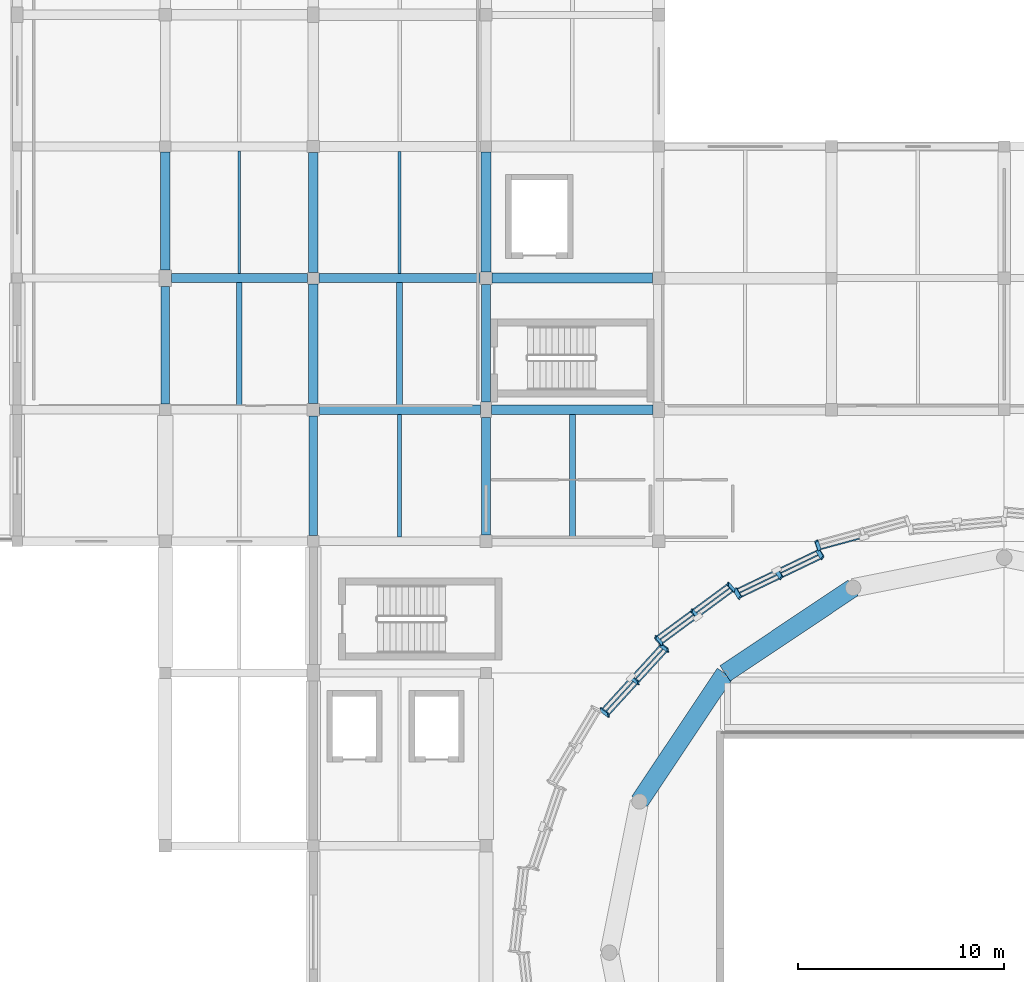
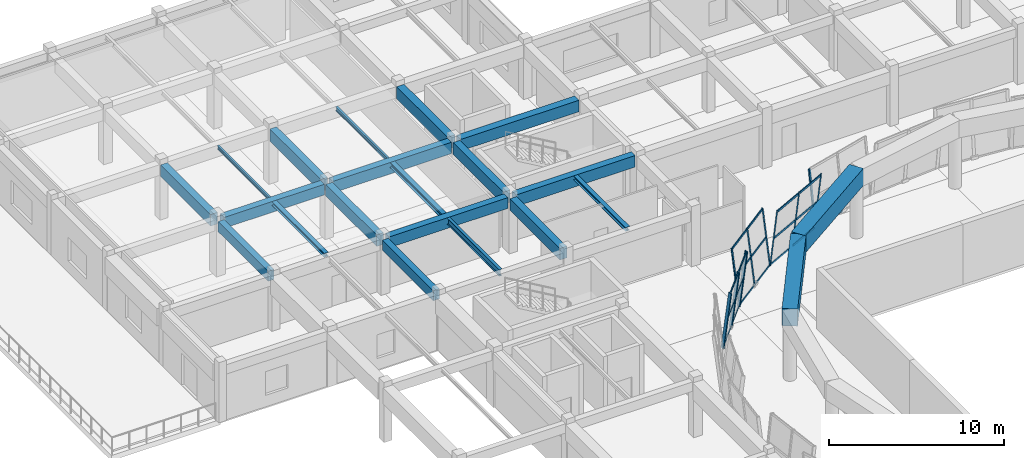
# One storey, part 15 of 40: 29 members, 21 beams, 4 elements without a shape of their own.
"""IFC4 building model written with IfcOpenShell, lengths in metres."""

from ifc_helpers import new_model, si_unit, direction, frame, origin, origin_2d, place, context, subcontext, project, spatial, rectangle, hollow_rectangle, i_section, extrude, material, material_profile, profile_set, type_object, element, aggregate, save


model = new_model("IFC4")

# Units and contexts
model_context = context("Model", 3, precision=1e-05, world=origin(), true_north=direction((0.0, 1.0)))
body_context = subcontext(model_context, "Body", "Model", "MODEL_VIEW")
ifc_project = project(units=[si_unit("LENGTHUNIT", "METRE"), si_unit("AREAUNIT", "SQUARE_METRE"), si_unit("VOLUMEUNIT", "CUBIC_METRE"), si_unit("PLANEANGLEUNIT", "RADIAN"), si_unit("MASSUNIT", "GRAM", prefix="KILO")], contexts=[model_context])

# Site, building, storey
site_placement = place(None, origin())
site = spatial("IfcSite", under=ifc_project, at=site_placement, CompositionType="ELEMENT")
building_placement = place(site_placement, origin())
building = spatial("IfcBuilding", under=site, at=building_placement, Name="Korsvaeld Concert Hall", CompositionType="ELEMENT")
storey_placement = place(building_placement, frame((0.0, 0.0, 13.199951171875)))
storey = spatial("IfcBuildingStorey", under=building, at=storey_placement, Name="L03", CompositionType="ELEMENT", Elevation=13.199951171875)

# Beams
ifc_material_1 = material(Name="Concrete C35/45", Category="concrete")
ifc_material_profile_1 = material_profile(ifc_material_1, rectangle(XDim=0.39990234375, YDim=0.699951171875, at=origin_2d()), Name="RC 400x700")
ifc_profile_set_1 = profile_set([ifc_material_profile_1], Name="Concrete C35/45")
beam_type_1 = type_object("IfcBeamType", Name="BM-RC-400x700", PredefinedType="T_BEAM", material=ifc_profile_set_1)
beam_1_placement = place(storey_placement, frame((43.199951171875, 89.875, 3.489990234375), z_axis=(0.0, 1.0, 0.0), x_axis=(-1.0, 0.0, 0.0)))
element("IfcBeam", 1, at=beam_1_placement, inside=storey, type_object=beam_type_1, Name="Primary girder 7/N-P L03", PredefinedType="T_BEAM", context=body_context, shape_type="SweptSolid", body=[
    extrude(rectangle(XDim=0.39990234375, YDim=0.699951171875, at=origin_2d()), origin(), (0.0, 0.0, 1.0), 5.72509765625),
])
beam_2_placement = place(storey_placement, frame((50.39990234375, 83.47509765625, 3.489990234375), z_axis=(0.0, 1.0, 0.0), x_axis=(-1.0, 0.0, 0.0)))
element("IfcBeam", 2, at=beam_2_placement, inside=storey, type_object=beam_type_1, Name="Primary girder 8/M-N L03", PredefinedType="T_BEAM", context=body_context, shape_type="SweptSolid", body=[
    extrude(rectangle(XDim=0.39990234375, YDim=0.699951171875, at=origin_2d()), origin(), (0.0, 0.0, 1.0), 5.824951171875),
])
ifc_material_profile_2 = material_profile(ifc_material_1, rectangle(XDim=0.449951171875, YDim=0.75, at=origin_2d()), Name="RC 450x750")
ifc_profile_set_2 = profile_set([ifc_material_profile_2], Name="Concrete C35/45")
beam_type_2 = type_object("IfcBeamType", Name="BM-RC-450x750", PredefinedType="T_BEAM", material=ifc_profile_set_2)
beam_3_placement = place(storey_placement, frame((50.699951171875, 89.60009765625, 3.465087890625), z_axis=(1.0, 0.0, 0.0), x_axis=(0.0, 1.0, 0.0)))
element("IfcBeam", 3, at=beam_3_placement, inside=storey, type_object=beam_type_2, Name="Primary girder 8-9/N L03", PredefinedType="T_BEAM", context=body_context, shape_type="SweptSolid", body=[
    extrude(rectangle(XDim=0.449951171875, YDim=0.75, at=origin_2d()), origin(), (0.0, 0.0, 1.0), 7.824951171875),
])
beam_4_placement = place(storey_placement, frame((43.5, 96.0, 3.465087890625), z_axis=(1.0, 0.0, 0.0), x_axis=(0.0, 1.0, 0.0)))
element("IfcBeam", 4, at=beam_4_placement, inside=storey, type_object=beam_type_2, Name="Primary girder 7-8/P L03", PredefinedType="T_BEAM", context=body_context, shape_type="SweptSolid", body=[
    extrude(rectangle(XDim=0.449951171875, YDim=0.75, at=origin_2d()), origin(), (0.0, 0.0, 1.0), 6.625),
])
ifc_material_profile_3 = material_profile(ifc_material_1, rectangle(XDim=0.449951171875, YDim=0.800048828125, at=origin_2d()), Name="RC 450x800")
ifc_profile_set_3 = profile_set([ifc_material_profile_3], Name="Concrete C35/45")
beam_type_3 = type_object("IfcBeamType", Name="BM-RC-450x800", PredefinedType="T_BEAM", material=ifc_profile_set_3)
beam_5_placement = place(storey_placement, frame((59.074951171875, 89.60009765625, 3.43994140625), z_axis=(1.0, 0.0, 0.0), x_axis=(0.0, 1.0, 0.0)))
element("IfcBeam", 5, at=beam_5_placement, inside=storey, type_object=beam_type_3, Name="Primary girder 9-10/N L03", PredefinedType="T_BEAM", context=body_context, shape_type="SweptSolid", body=[
    extrude(rectangle(XDim=0.449951171875, YDim=0.800048828125, at=origin_2d()), origin(), (0.0, 0.0, 1.0), 7.85009765625),
])
beam_6_placement = place(storey_placement, frame((50.675048828125, 96.0, 3.43994140625), z_axis=(1.0, 0.0, 0.0), x_axis=(0.0, 1.0, 0.0)))
element("IfcBeam", 6, at=beam_6_placement, inside=storey, type_object=beam_type_3, Name="Primary girder 8-9/P L03", PredefinedType="T_BEAM", context=body_context, shape_type="SweptSolid", body=[
    extrude(rectangle(XDim=0.449951171875, YDim=0.800048828125, at=origin_2d()), origin(), (0.0, 0.0, 1.0), 7.824951171875),
])
beam_7_placement = place(storey_placement, frame((43.199951171875, 96.39990234375, 3.43994140625), z_axis=(0.0, 1.0, 0.0), x_axis=(-1.0, 0.0, 0.0)))
element("IfcBeam", 7, at=beam_7_placement, inside=storey, type_object=beam_type_3, Name="Primary girder 7/P-Q L03", PredefinedType="T_BEAM", context=body_context, shape_type="SweptSolid", body=[
    extrude(rectangle(XDim=0.449951171875, YDim=0.800048828125, at=origin_2d()), origin(), (0.0, 0.0, 1.0), 5.72509765625),
])
beam_8_placement = place(storey_placement, frame((50.39990234375, 89.89990234375, 3.43994140625), z_axis=(0.0, 1.0, 0.0), x_axis=(-1.0, 0.0, 0.0)))
element("IfcBeam", 8, at=beam_8_placement, inside=storey, type_object=beam_type_3, Name="Primary girder 8/N-P L03", PredefinedType="T_BEAM", context=body_context, shape_type="SweptSolid", body=[
    extrude(rectangle(XDim=0.449951171875, YDim=0.800048828125, at=origin_2d()), origin(), (0.0, 0.0, 1.0), 5.8251953125),
])
beam_9_placement = place(storey_placement, frame((58.800048828125, 83.5, 3.43994140625), z_axis=(0.0, 1.0, 0.0), x_axis=(-1.0, 0.0, 0.0)))
element("IfcBeam", 9, at=beam_9_placement, inside=storey, type_object=beam_type_3, Name="Primary girder 9/M-N L03", PredefinedType="T_BEAM", context=body_context, shape_type="SweptSolid", body=[
    extrude(rectangle(XDim=0.449951171875, YDim=0.800048828125, at=origin_2d()), origin(), (0.0, 0.0, 1.0), 5.72509765625),
])
ifc_material_2 = material(Name="Concrete C40/50", Category="concrete")
ifc_material_profile_4 = material_profile(ifc_material_2, rectangle(XDim=0.449951171875, YDim=0.85009765625, at=origin_2d()), Name="RC 450x850")
ifc_profile_set_4 = profile_set([ifc_material_profile_4], Name="Concrete C40/50")
beam_type_4 = type_object("IfcBeamType", Name="BM-RC-450x850", PredefinedType="T_BEAM", material=ifc_profile_set_4)
beam_10_placement = place(storey_placement, frame((50.39990234375, 96.27490234375, 3.4150390625), z_axis=(0.0, 1.0, 0.0), x_axis=(-1.0, 0.0, 0.0)))
element("IfcBeam", 10, at=beam_10_placement, inside=storey, type_object=beam_type_4, Name="Primary girder 8/P-Q L03", PredefinedType="T_BEAM", context=body_context, shape_type="SweptSolid", body=[
    extrude(rectangle(XDim=0.449951171875, YDim=0.85009765625, at=origin_2d()), origin(), (0.0, 0.0, 1.0), 5.8251953125),
])
beam_11_placement = place(storey_placement, frame((58.800048828125, 89.97509765625, 3.4150390625), z_axis=(0.0, 1.0, 0.0), x_axis=(-1.0, 0.0, 0.0)))
element("IfcBeam", 11, at=beam_11_placement, inside=storey, type_object=beam_type_4, Name="Primary girder 9/N-P L03", PredefinedType="T_BEAM", context=body_context, shape_type="SweptSolid", body=[
    extrude(rectangle(XDim=0.449951171875, YDim=0.85009765625, at=origin_2d()), origin(), (0.0, 0.0, 1.0), 5.724853515625),
])
ifc_material_profile_5 = material_profile(ifc_material_2, rectangle(XDim=0.5, YDim=0.800048828125, at=origin_2d()), Name="RC 500x800")
ifc_profile_set_5 = profile_set([ifc_material_profile_5], Name="Concrete C40/50")
beam_type_5 = type_object("IfcBeamType", Name="BM-RC-500x800", PredefinedType="T_BEAM", material=ifc_profile_set_5)
beam_12_placement = place(storey_placement, frame((59.10009765625, 96.0, 3.43994140625), z_axis=(1.0, 0.0, 0.0), x_axis=(0.0, 1.0, 0.0)))
element("IfcBeam", 12, at=beam_12_placement, inside=storey, type_object=beam_type_5, Name="Primary girder 9-10/P L03", PredefinedType="T_BEAM", context=body_context, shape_type="SweptSolid", body=[
    extrude(rectangle(XDim=0.5, YDim=0.800048828125, at=origin_2d()), origin(), (0.0, 0.0, 1.0), 7.7998046875),
])
ifc_material_profile_6 = material_profile(ifc_material_2, rectangle(XDim=0.5, YDim=0.85009765625, at=origin_2d()), Name="RC 500x850")
ifc_profile_set_6 = profile_set([ifc_material_profile_6], Name="Concrete C40/50")
beam_type_6 = type_object("IfcBeamType", Name="BM-RC-500x850", PredefinedType="T_BEAM", material=ifc_profile_set_6)
beam_13_placement = place(storey_placement, frame((58.800048828125, 96.300048828125, 3.4150390625), z_axis=(0.0, 1.0, 0.0), x_axis=(-1.0, 0.0, 0.0)))
element("IfcBeam", 13, at=beam_13_placement, inside=storey, type_object=beam_type_6, Name="Primary girder 9/P-Q L03", PredefinedType="T_BEAM", context=body_context, shape_type="SweptSolid", body=[
    extrude(rectangle(XDim=0.5, YDim=0.85009765625, at=origin_2d()), origin(), (0.0, 0.0, 1.0), 5.824951171875),
])
ifc_material_profile_7 = material_profile(ifc_material_2, rectangle(XDim=0.89990234375, YDim=1.199951171875, at=origin_2d()), Name="RC 900x1200")
ifc_profile_set_7 = profile_set([ifc_material_profile_7], Name="Concrete C40/50")
beam_type_7 = type_object("IfcBeamType", Name="BM-RING-RC900x1200", PredefinedType="USERDEFINED", material=ifc_profile_set_7)
for number, where, z_axis, x_axis, name in (
    (14, (76.652587890625, 80.9384765625, 4.199951171875), (-0.831483307961, -0.555549735471, 0.0), (0.555549735471, -0.831483307961, 0.0), "Main Hall C40/50 drum ring beam segment 06"),
    (15, (70.423583984375, 76.776611328125, 4.199951171875), (-0.555572265942, -0.831468253944, 0.0), (0.831468253944, -0.555572265942, 0.0), "Main Hall C40/50 drum ring beam segment 07"),
):
    element("IfcBeam", number, at=place(storey_placement, frame(where, z_axis=z_axis, x_axis=x_axis)), inside=storey, type_object=beam_type_7, Name=name, ObjectType="RING BEAM", PredefinedType="USERDEFINED", context=body_context, shape_type="SweptSolid", body=[
        extrude(rectangle(XDim=0.89990234375, YDim=1.199951171875, at=origin_2d()), origin(), (0.0, 0.0, 1.0), 7.491455078125),
    ])
ifc_material_3 = material(Name="Steel S355J2", Category="steel")
ifc_material_profile_8 = material_profile(ifc_material_3, i_section(OverallWidth=0.280029296875, OverallDepth=0.27001953125, WebThickness=0.008056640625, FlangeThickness=0.012939453125, FilletRadius=0.02392578125, at=origin_2d()), Name="HEA 280")
ifc_profile_set_8 = profile_set([ifc_material_profile_8], Name="Steel S355J2")
beam_type_8 = type_object("IfcBeamType", Name="BM-STL-HEA280", PredefinedType="BEAM", material=ifc_profile_set_8)
beam_14_placement = place(storey_placement, frame((46.800048828125, 89.800048828125, 3.705078125), z_axis=(0.0, 1.0, 0.0), x_axis=(-1.0, 0.0, 0.0)))
element("IfcBeam", 16, at=beam_14_placement, inside=storey, type_object=beam_type_8, Name="Secondary steel floor beam 7-8/N L03", PredefinedType="BEAM", context=body_context, shape_type="SweptSolid", body=[
    extrude(i_section(OverallWidth=0.280029296875, OverallDepth=0.27001953125, WebThickness=0.008056640625, FlangeThickness=0.012939453125, FilletRadius=0.02392578125, at=origin_2d()), origin(), (0.0, 0.0, 1.0), 5.974853515625),
])
beam_15_placement = place(storey_placement, frame((63.0, 83.425048828125, 3.705078125), z_axis=(0.0, 1.0, 0.0), x_axis=(-1.0, 0.0, 0.0)))
element("IfcBeam", 17, at=beam_15_placement, inside=storey, type_object=beam_type_8, Name="Secondary steel floor beam 9-10/M L03", PredefinedType="BEAM", context=body_context, shape_type="SweptSolid", body=[
    extrude(i_section(OverallWidth=0.280029296875, OverallDepth=0.27001953125, WebThickness=0.008056640625, FlangeThickness=0.012939453125, FilletRadius=0.02392578125, at=origin_2d()), origin(), (0.0, 0.0, 1.0), 5.949951171875),
])
ifc_material_profile_9 = material_profile(ifc_material_3, i_section(OverallWidth=0.300048828125, OverallDepth=0.35009765625, WebThickness=0.010009765625, FlangeThickness=0.017578125, FilletRadius=0.027099609375, at=origin_2d()), Name="HEA 360")
ifc_profile_set_9 = profile_set([ifc_material_profile_9], Name="Steel S355J2")
beam_type_9 = type_object("IfcBeamType", Name="BM-STL-HEA360", PredefinedType="BEAM", material=ifc_profile_set_9)
beam_16_placement = place(storey_placement, frame((54.60009765625, 89.824951171875, 3.6650390625), z_axis=(0.0, 1.0, 0.0), x_axis=(-1.0, 0.0, 0.0)))
element("IfcBeam", 18, at=beam_16_placement, inside=storey, type_object=beam_type_9, Name="Secondary steel floor beam 8-9/N L03", PredefinedType="BEAM", context=body_context, shape_type="SweptSolid", body=[
    extrude(i_section(OverallWidth=0.300048828125, OverallDepth=0.35009765625, WebThickness=0.010009765625, FlangeThickness=0.017578125, FilletRadius=0.027099609375, at=origin_2d()), origin(), (0.0, 0.0, 1.0), 5.949951171875),
])
ifc_material_profile_10 = material_profile(ifc_material_3, i_section(OverallWidth=0.1201171875, OverallDepth=0.239990234375, WebThickness=0.006103515625, FlangeThickness=0.009765625, FilletRadius=0.014892578125, at=origin_2d()), Name="IPE 240")
ifc_profile_set_10 = profile_set([ifc_material_profile_10], Name="Steel S355J2")
beam_type_10 = type_object("IfcBeamType", Name="BM-STL-IPE240", PredefinedType="JOIST", material=ifc_profile_set_10)
beam_17_placement = place(storey_placement, frame((46.800048828125, 96.22509765625, 3.719970703125), z_axis=(0.0, 1.0, 0.0), x_axis=(-1.0, 0.0, 0.0)))
element("IfcBeam", 19, at=beam_17_placement, inside=storey, type_object=beam_type_10, Name="Secondary steel floor beam 7-8/P L03", PredefinedType="JOIST", context=body_context, shape_type="SweptSolid", body=[
    extrude(i_section(OverallWidth=0.1201171875, OverallDepth=0.239990234375, WebThickness=0.006103515625, FlangeThickness=0.009765625, FilletRadius=0.014892578125, at=origin_2d()), origin(), (0.0, 0.0, 1.0), 5.949951171875),
])
ifc_material_profile_11 = material_profile(ifc_material_3, i_section(OverallWidth=0.135009765625, OverallDepth=0.27001953125, WebThickness=0.006591796875, FlangeThickness=0.01025390625, FilletRadius=0.014892578125, at=origin_2d()), Name="IPE 270")
ifc_profile_set_11 = profile_set([ifc_material_profile_11], Name="Steel S355J2")
beam_type_11 = type_object("IfcBeamType", Name="BM-STL-IPE270", PredefinedType="JOIST", material=ifc_profile_set_11)
beam_18_placement = place(storey_placement, frame((54.60009765625, 96.22509765625, 3.705078125), z_axis=(0.0, 1.0, 0.0), x_axis=(-1.0, 0.0, 0.0)))
element("IfcBeam", 20, at=beam_18_placement, inside=storey, type_object=beam_type_11, Name="Secondary steel floor beam 8-9/P L03", PredefinedType="JOIST", context=body_context, shape_type="SweptSolid", body=[
    extrude(i_section(OverallWidth=0.135009765625, OverallDepth=0.27001953125, WebThickness=0.006591796875, FlangeThickness=0.01025390625, FilletRadius=0.014892578125, at=origin_2d()), origin(), (0.0, 0.0, 1.0), 5.9248046875),
])
ifc_material_profile_12 = material_profile(ifc_material_3, i_section(OverallWidth=0.18994140625, OverallDepth=0.449951171875, WebThickness=0.009521484375, FlangeThickness=0.0146484375, FilletRadius=0.02099609375, at=origin_2d()), Name="IPE 450")
ifc_profile_set_12 = profile_set([ifc_material_profile_12], Name="Steel S355J2")
beam_type_12 = type_object("IfcBeamType", Name="BM-STL-IPE450", PredefinedType="BEAM", material=ifc_profile_set_12)
beam_19_placement = place(storey_placement, frame((54.60009765625, 83.39990234375, 3.614990234375), z_axis=(0.0, 1.0, 0.0), x_axis=(-1.0, 0.0, 0.0)))
element("IfcBeam", 21, at=beam_19_placement, inside=storey, type_object=beam_type_12, Name="Secondary steel floor beam 8-9/M L03", PredefinedType="BEAM", context=body_context, shape_type="SweptSolid", body=[
    extrude(i_section(OverallWidth=0.18994140625, OverallDepth=0.449951171875, WebThickness=0.009521484375, FlangeThickness=0.0146484375, FilletRadius=0.02099609375, at=origin_2d()), origin(), (0.0, 0.0, 1.0), 5.97509765625),
])

# Curtain wall, member
ifc_material_4 = material(Name="Anodised bronze and ceramic-fritted safety glass", Category="glass")
curtain_wall_type_1 = type_object("IfcCurtainWallType", Name="CW-TYPE-02", PredefinedType="USERDEFINED", material=ifc_material_4)
curtain_wall_1_placement = place(storey_placement, origin())
curtain_wall_1 = element("IfcCurtainWall", 22, at=curtain_wall_1_placement, inside=storey, type_object=curtain_wall_type_1, Name="Crystal curtain-wall facet L03 F10", ObjectType="CURTAIN WALL", PredefinedType="USERDEFINED")
ifc_material_5 = material(Name="Anodised architectural bronze aluminium", Category="aluminium")
ifc_material_profile_13 = material_profile(ifc_material_5, hollow_rectangle(XDim=0.074951171875, YDim=0.179931640625, WallThickness=0.0048828125, at=origin_2d()), Name="CWM 180x75x5")
ifc_profile_set_13 = profile_set([ifc_material_profile_13], Name="Anodised architectural bronze aluminium")
member_type_1 = type_object("IfcMemberType", Name="CWM-BRONZE-180x75", PredefinedType="MULLION", material=ifc_profile_set_13)
member_1_placement = place(storey_placement, frame((75.0048828125, 82.796142578125, 0.0), z_axis=(-0.036197122149, 0.107216000838, 0.993576618843), x_axis=(-0.55573398258, 0.824159803474, -0.10918039633)))
member_1 = element("IfcMember", 23, at=member_1_placement, type_object=member_type_1, Name="CW-CRYS-L03-F10 crystal mullion 3", PredefinedType="MULLION", context=body_context, shape_type="SweptSolid", body=[
    extrude(hollow_rectangle(XDim=0.074951171875, YDim=0.179931640625, WallThickness=0.0048828125, at=origin_2d()), origin(), (0.0, 0.0, 1.0), 3.9052734375),
])

# Curtain wall, members
curtain_wall_type_2 = type_object("IfcCurtainWallType", Name="CW-TYPE-04", PredefinedType="USERDEFINED", material=ifc_material_4)
curtain_wall_2_placement = place(storey_placement, origin())
curtain_wall_2 = element("IfcCurtainWall", 24, at=curtain_wall_2_placement, inside=storey, type_object=curtain_wall_type_2, Name="Crystal curtain-wall facet L03 F12", ObjectType="CURTAIN WALL", PredefinedType="USERDEFINED")
member_2_placement = place(storey_placement, frame((70.8583984375, 80.804931640625, 0.0), z_axis=(-0.076394652963, 0.083584002465, 0.993568101104), x_axis=(-0.977549926724, 0.189970662094, -0.09114432679)))
member_2 = element("IfcMember", 25, at=member_2_placement, type_object=member_type_1, Name="CW-CRYS-L03-F12 crystal mullion 1", PredefinedType="MULLION", context=body_context, shape_type="SweptSolid", body=[
    extrude(hollow_rectangle(XDim=0.074951171875, YDim=0.179931640625, WallThickness=0.0048828125, at=origin_2d()), origin(), (0.0, 0.0, 1.0), 3.9052734375),
])
member_3_placement = place(storey_placement, frame((69.100341796875, 79.509033203125, 0.0), z_axis=(-0.07633290001, 0.083522321387, 0.993578034281), x_axis=(-0.977548655887, 0.19001085547, -0.091074146589)))
member_3 = element("IfcMember", 26, at=member_3_placement, type_object=member_type_1, Name="CW-CRYS-L03-F12 crystal mullion 2", PredefinedType="MULLION", context=body_context, shape_type="SweptSolid", body=[
    extrude(hollow_rectangle(XDim=0.074951171875, YDim=0.179931640625, WallThickness=0.0048828125, at=origin_2d()), origin(), (0.0, 0.0, 1.0), 3.9052734375),
])
member_4_placement = place(storey_placement, frame((67.342529296875, 78.212890625, 0.0), z_axis=(-0.076394652963, 0.083584002465, 0.993568101104), x_axis=(-0.977549926724, 0.189970662094, -0.09114432679)))
member_4 = element("IfcMember", 27, at=member_4_placement, type_object=member_type_1, Name="CW-CRYS-L03-F12 crystal mullion 3", PredefinedType="MULLION", context=body_context, shape_type="SweptSolid", body=[
    extrude(hollow_rectangle(XDim=0.074951171875, YDim=0.179931640625, WallThickness=0.0048828125, at=origin_2d()), origin(), (0.0, 0.0, 1.0), 3.9052734375),
])

curtain_wall_type_3 = type_object("IfcCurtainWallType", Name="CW-TYPE-03", PredefinedType="USERDEFINED", material=ifc_material_4)
curtain_wall_3_placement = place(storey_placement, origin())
curtain_wall_3 = element("IfcCurtainWall", 28, at=curtain_wall_3_placement, inside=storey, type_object=curtain_wall_type_3, Name="Crystal curtain-wall facet L03 F11", ObjectType="CURTAIN WALL", PredefinedType="USERDEFINED")
ifc_material_profile_14 = material_profile(ifc_material_5, hollow_rectangle(XDim=0.074951171875, YDim=0.219970703125, WallThickness=0.006103515625, at=origin_2d()), Name="CWM 220x75x6")
ifc_profile_set_14 = profile_set([ifc_material_profile_14], Name="Anodised architectural bronze aluminium")
member_type_2 = type_object("IfcMemberType", Name="CWM-BRONZE-220x75", PredefinedType="MULLION", material=ifc_profile_set_14)
member_5_placement = place(storey_placement, frame((74.934814453125, 82.77001953125, 0.0), z_axis=(0.057890146021, -0.097275450549, 0.993572452172), x_axis=(0.829999508119, -0.548349795161, -0.102045669527)))
member_5 = element("IfcMember", 29, at=member_5_placement, type_object=member_type_2, Name="CW-CRYS-L03-F11 crystal mullion 1", PredefinedType="MULLION", context=body_context, shape_type="SweptSolid", body=[
    extrude(hollow_rectangle(XDim=0.074951171875, YDim=0.219970703125, WallThickness=0.006103515625, at=origin_2d()), origin(), (0.0, 0.0, 1.0), 3.9052734375),
])
member_6_placement = place(storey_placement, frame((72.9287109375, 81.806640625, 0.0), z_axis=(0.057827838836, -0.097275802409, 0.993576046069), x_axis=(0.829740754725, -0.548746539868, -0.102017228601)))
member_6 = element("IfcMember", 30, at=member_6_placement, type_object=member_type_2, Name="CW-CRYS-L03-F11 crystal mullion 2", PredefinedType="MULLION", context=body_context, shape_type="SweptSolid", body=[
    extrude(hollow_rectangle(XDim=0.074951171875, YDim=0.219970703125, WallThickness=0.006103515625, at=origin_2d()), origin(), (0.0, 0.0, 1.0), 3.9052734375),
])
member_7_placement = place(storey_placement, frame((70.92236328125, 80.843505859375, 0.0), z_axis=(0.057890146021, -0.097275450549, 0.993572452172), x_axis=(0.829999508119, -0.548349795161, -0.102045669527)))
member_7 = element("IfcMember", 31, at=member_7_placement, type_object=member_type_2, Name="CW-CRYS-L03-F11 crystal mullion 3", PredefinedType="MULLION", context=body_context, shape_type="SweptSolid", body=[
    extrude(hollow_rectangle(XDim=0.074951171875, YDim=0.219970703125, WallThickness=0.006103515625, at=origin_2d()), origin(), (0.0, 0.0, 1.0), 3.9052734375),
])

curtain_wall_type_4 = type_object("IfcCurtainWallType", Name="CW-TYPE-05", PredefinedType="USERDEFINED", material=ifc_material_4)
curtain_wall_4_placement = place(storey_placement, origin())
curtain_wall_4 = element("IfcCurtainWall", 32, at=curtain_wall_4_placement, inside=storey, type_object=curtain_wall_type_4, Name="Crystal curtain-wall facet L03 F13", ObjectType="CURTAIN WALL", PredefinedType="USERDEFINED")
member_8_placement = place(storey_placement, frame((67.287109375, 78.1630859375, 0.0), z_axis=(0.09108635583, -0.067205101247, 0.993572720111), x_axis=(0.977585463955, 0.19620767399, -0.076349258884)))
member_8 = element("IfcMember", 33, at=member_8_placement, type_object=member_type_2, Name="CW-CRYS-L03-F13 crystal mullion 1", PredefinedType="MULLION", context=body_context, shape_type="SweptSolid", body=[
    extrude(hollow_rectangle(XDim=0.074951171875, YDim=0.219970703125, WallThickness=0.006103515625, at=origin_2d()), origin(), (0.0, 0.0, 1.0), 3.9052734375),
])
member_9_placement = place(storey_placement, frame((65.8447265625, 76.58447265625, 0.0), z_axis=(0.091148352992, -0.067204718427, 0.993567060428), x_axis=(0.977518031702, 0.19653033326, -0.076382758571)))
member_9 = element("IfcMember", 34, at=member_9_placement, type_object=member_type_2, Name="CW-CRYS-L03-F13 crystal mullion 2", PredefinedType="MULLION", context=body_context, shape_type="SweptSolid", body=[
    extrude(hollow_rectangle(XDim=0.074951171875, YDim=0.219970703125, WallThickness=0.006103515625, at=origin_2d()), origin(), (0.0, 0.0, 1.0), 3.9052734375),
])
member_10_placement = place(storey_placement, frame((64.402587890625, 75.005859375, 0.0), z_axis=(0.09108635583, -0.067205101247, 0.993572720111), x_axis=(0.977585463955, 0.19620767399, -0.076349258884)))
member_10 = element("IfcMember", 35, at=member_10_placement, type_object=member_type_2, Name="CW-CRYS-L03-F13 crystal mullion 3", PredefinedType="MULLION", context=body_context, shape_type="SweptSolid", body=[
    extrude(hollow_rectangle(XDim=0.074951171875, YDim=0.219970703125, WallThickness=0.006103515625, at=origin_2d()), origin(), (0.0, 0.0, 1.0), 3.9052734375),
])

# Member
ifc_material_profile_15 = material_profile(ifc_material_5, hollow_rectangle(XDim=0.06005859375, YDim=0.139892578125, WallThickness=0.00390625, at=origin_2d()), Name="CWT 140x60x4")
ifc_profile_set_15 = profile_set([ifc_material_profile_15], Name="Anodised architectural bronze aluminium")
member_type_3 = type_object("IfcMemberType", Name="CWT-BRONZE-140x60", PredefinedType="USERDEFINED", material=ifc_profile_set_15)
member_11_placement = place(storey_placement, frame((77.14501953125, 83.3828125, 0.030029296875), z_axis=(-0.964805126409, -0.262965906641, 0.0), x_axis=(0.262965906641, -0.964805126409, 0.0)))
member_11 = element("IfcMember", 36, at=member_11_placement, type_object=member_type_3, Name="CW-CRYS-L03-F10 crystal transom 2.1", ObjectType="TRANSOM", PredefinedType="USERDEFINED", context=body_context, shape_type="SweptSolid", body=[
    extrude(hollow_rectangle(XDim=0.06005859375, YDim=0.139892578125, WallThickness=0.00390625, at=origin_2d()), origin(), (0.0, 0.0, 1.0), 2.181884765625),
])

aggregate(curtain_wall_1, [member_1, member_11])

member_12_placement = place(storey_placement, frame((74.90283203125, 82.750732421875, 0.030029296875), z_axis=(-0.901508884705, -0.432760592935, 0.0), x_axis=(0.432760592935, -0.901508884705, 0.0)))
member_12 = element("IfcMember", 37, at=member_12_placement, type_object=member_type_3, Name="CW-CRYS-L03-F11 crystal transom 1.1", ObjectType="TRANSOM", PredefinedType="USERDEFINED", context=body_context, shape_type="SweptSolid", body=[
    extrude(hollow_rectangle(XDim=0.06005859375, YDim=0.139892578125, WallThickness=0.00390625, at=origin_2d()), origin(), (0.0, 0.0, 1.0), 2.150634765625),
])

member_13_placement = place(storey_placement, frame((75.01416015625, 82.563720703125, 1.93994140625), z_axis=(-0.901508884705, -0.432760592935, 0.0), x_axis=(0.432760592935, -0.901508884705, 0.0)))
member_13 = element("IfcMember", 38, at=member_13_placement, type_object=member_type_3, Name="CW-CRYS-L03-F11 crystal transom 1.2", ObjectType="TRANSOM", PredefinedType="USERDEFINED", context=body_context, shape_type="SweptSolid", body=[
    extrude(hollow_rectangle(XDim=0.06005859375, YDim=0.139892578125, WallThickness=0.00390625, at=origin_2d()), origin(), (0.0, 0.0, 1.0), 2.150634765625),
])

member_14_placement = place(storey_placement, frame((75.12548828125, 82.376708984375, 3.85009765625), z_axis=(-0.901508884705, -0.432760592935, 0.0), x_axis=(0.432760592935, -0.901508884705, 0.0)))
member_14 = element("IfcMember", 39, at=member_14_placement, type_object=member_type_3, Name="CW-CRYS-L03-F11 crystal transom 1.3", ObjectType="TRANSOM", PredefinedType="USERDEFINED", context=body_context, shape_type="SweptSolid", body=[
    extrude(hollow_rectangle(XDim=0.06005859375, YDim=0.139892578125, WallThickness=0.00390625, at=origin_2d()), origin(), (0.0, 0.0, 1.0), 2.150634765625),
])

member_15_placement = place(storey_placement, frame((72.896484375, 81.78759765625, 0.030029296875), z_axis=(-0.901464591462, -0.432852850679, 0.0), x_axis=(0.432852850679, -0.901464591462, 0.0)))
member_15 = element("IfcMember", 40, at=member_15_placement, type_object=member_type_3, Name="CW-CRYS-L03-F11 crystal transom 2.1", ObjectType="TRANSOM", PredefinedType="USERDEFINED", context=body_context, shape_type="SweptSolid", body=[
    extrude(hollow_rectangle(XDim=0.06005859375, YDim=0.139892578125, WallThickness=0.00390625, at=origin_2d()), origin(), (0.0, 0.0, 1.0), 2.150634765625),
])

member_16_placement = place(storey_placement, frame((73.0078125, 81.6005859375, 1.93994140625), z_axis=(-0.901464591462, -0.432852850679, 0.0), x_axis=(0.432852850679, -0.901464591462, 0.0)))
member_16 = element("IfcMember", 41, at=member_16_placement, type_object=member_type_3, Name="CW-CRYS-L03-F11 crystal transom 2.2", ObjectType="TRANSOM", PredefinedType="USERDEFINED", context=body_context, shape_type="SweptSolid", body=[
    extrude(hollow_rectangle(XDim=0.06005859375, YDim=0.139892578125, WallThickness=0.00390625, at=origin_2d()), origin(), (0.0, 0.0, 1.0), 2.150634765625),
])

member_17_placement = place(storey_placement, frame((73.119140625, 81.41357421875, 3.85009765625), z_axis=(-0.901464591462, -0.432852850679, 0.0), x_axis=(0.432852850679, -0.901464591462, 0.0)))
member_17 = element("IfcMember", 42, at=member_17_placement, type_object=member_type_3, Name="CW-CRYS-L03-F11 crystal transom 2.3", ObjectType="TRANSOM", PredefinedType="USERDEFINED", context=body_context, shape_type="SweptSolid", body=[
    extrude(hollow_rectangle(XDim=0.06005859375, YDim=0.139892578125, WallThickness=0.00390625, at=origin_2d()), origin(), (0.0, 0.0, 1.0), 2.150634765625),
])

aggregate(curtain_wall_3, [member_5, member_6, member_7, member_12, member_13, member_14, member_15, member_16, member_17])

member_18_placement = place(storey_placement, frame((70.825927734375, 80.78515625, 0.030029296875), z_axis=(-0.804945265899, -0.593349070031, 0.0), x_axis=(0.593349070031, -0.804945265899, 0.0)))
member_18 = element("IfcMember", 43, at=member_18_placement, type_object=member_type_3, Name="CW-CRYS-L03-F12 crystal transom 1.1", ObjectType="TRANSOM", PredefinedType="USERDEFINED", context=body_context, shape_type="SweptSolid", body=[
    extrude(hollow_rectangle(XDim=0.06005859375, YDim=0.139892578125, WallThickness=0.00390625, at=origin_2d()), origin(), (0.0, 0.0, 1.0), 2.109130859375),
])

member_19_placement = place(storey_placement, frame((70.678955078125, 80.94580078125, 1.93994140625), z_axis=(-0.804904507896, -0.593404358906, 0.0), x_axis=(0.593404358906, -0.804904507896, 0.0)))
member_19 = element("IfcMember", 44, at=member_19_placement, type_object=member_type_3, Name="CW-CRYS-L03-F12 crystal transom 1.2", ObjectType="TRANSOM", PredefinedType="USERDEFINED", context=body_context, shape_type="SweptSolid", body=[
    extrude(hollow_rectangle(XDim=0.06005859375, YDim=0.139892578125, WallThickness=0.00390625, at=origin_2d()), origin(), (0.0, 0.0, 1.0), 2.10888671875),
])

member_20_placement = place(storey_placement, frame((70.5322265625, 81.1064453125, 3.85009765625), z_axis=(-0.804904507896, -0.593404358906, 0.0), x_axis=(0.593404358906, -0.804904507896, 0.0)))
member_20 = element("IfcMember", 45, at=member_20_placement, type_object=member_type_3, Name="CW-CRYS-L03-F12 crystal transom 1.3", ObjectType="TRANSOM", PredefinedType="USERDEFINED", context=body_context, shape_type="SweptSolid", body=[
    extrude(hollow_rectangle(XDim=0.06005859375, YDim=0.139892578125, WallThickness=0.00390625, at=origin_2d()), origin(), (0.0, 0.0, 1.0), 2.10888671875),
])

member_21_placement = place(storey_placement, frame((69.06787109375, 79.4892578125, 0.030029296875), z_axis=(-0.804904507896, -0.593404358906, 0.0), x_axis=(0.593404358906, -0.804904507896, 0.0)))
member_21 = element("IfcMember", 46, at=member_21_placement, type_object=member_type_3, Name="CW-CRYS-L03-F12 crystal transom 2.1", ObjectType="TRANSOM", PredefinedType="USERDEFINED", context=body_context, shape_type="SweptSolid", body=[
    extrude(hollow_rectangle(XDim=0.06005859375, YDim=0.139892578125, WallThickness=0.00390625, at=origin_2d()), origin(), (0.0, 0.0, 1.0), 2.10888671875),
])

member_22_placement = place(storey_placement, frame((68.921142578125, 79.64990234375, 1.93994140625), z_axis=(-0.804904507896, -0.593404358906, 0.0), x_axis=(0.593404358906, -0.804904507896, 0.0)))
member_22 = element("IfcMember", 47, at=member_22_placement, type_object=member_type_3, Name="CW-CRYS-L03-F12 crystal transom 2.2", ObjectType="TRANSOM", PredefinedType="USERDEFINED", context=body_context, shape_type="SweptSolid", body=[
    extrude(hollow_rectangle(XDim=0.06005859375, YDim=0.139892578125, WallThickness=0.00390625, at=origin_2d()), origin(), (0.0, 0.0, 1.0), 2.10888671875),
])

member_23_placement = place(storey_placement, frame((68.7744140625, 79.810546875, 3.85009765625), z_axis=(-0.804904507896, -0.593404358906, 0.0), x_axis=(0.593404358906, -0.804904507896, 0.0)))
member_23 = element("IfcMember", 48, at=member_23_placement, type_object=member_type_3, Name="CW-CRYS-L03-F12 crystal transom 2.3", ObjectType="TRANSOM", PredefinedType="USERDEFINED", context=body_context, shape_type="SweptSolid", body=[
    extrude(hollow_rectangle(XDim=0.06005859375, YDim=0.139892578125, WallThickness=0.00390625, at=origin_2d()), origin(), (0.0, 0.0, 1.0), 2.10888671875),
])

aggregate(curtain_wall_2, [member_2, member_3, member_4, member_18, member_19, member_20, member_21, member_22, member_23])

member_24_placement = place(storey_placement, frame((67.264404296875, 78.13330078125, 0.030029296875), z_axis=(-0.674496604142, -0.738277949692, 0.0), x_axis=(0.738277949692, -0.674496604142, 0.0)))
member_24 = element("IfcMember", 49, at=member_24_placement, type_object=member_type_3, Name="CW-CRYS-L03-F13 crystal transom 1.1", ObjectType="TRANSOM", PredefinedType="USERDEFINED", context=body_context, shape_type="SweptSolid", body=[
    extrude(hollow_rectangle(XDim=0.06005859375, YDim=0.139892578125, WallThickness=0.00390625, at=origin_2d()), origin(), (0.0, 0.0, 1.0), 2.063232421875),
])

member_25_placement = place(storey_placement, frame((67.439697265625, 78.004150390625, 1.93994140625), z_axis=(-0.674496604142, -0.738277949692, 0.0), x_axis=(0.738277949692, -0.674496604142, 0.0)))
member_25 = element("IfcMember", 50, at=member_25_placement, type_object=member_type_3, Name="CW-CRYS-L03-F13 crystal transom 1.2", ObjectType="TRANSOM", PredefinedType="USERDEFINED", context=body_context, shape_type="SweptSolid", body=[
    extrude(hollow_rectangle(XDim=0.06005859375, YDim=0.139892578125, WallThickness=0.00390625, at=origin_2d()), origin(), (0.0, 0.0, 1.0), 2.063232421875),
])

member_26_placement = place(storey_placement, frame((67.61474609375, 77.875, 3.85009765625), z_axis=(-0.674496604142, -0.738277949692, 0.0), x_axis=(0.738277949692, -0.674496604142, 0.0)))
member_26 = element("IfcMember", 51, at=member_26_placement, type_object=member_type_3, Name="CW-CRYS-L03-F13 crystal transom 1.3", ObjectType="TRANSOM", PredefinedType="USERDEFINED", context=body_context, shape_type="SweptSolid", body=[
    extrude(hollow_rectangle(XDim=0.06005859375, YDim=0.139892578125, WallThickness=0.00390625, at=origin_2d()), origin(), (0.0, 0.0, 1.0), 2.063232421875),
])

member_27_placement = place(storey_placement, frame((65.822265625, 76.5546875, 0.030029296875), z_axis=(-0.674496604142, -0.738277949692, 0.0), x_axis=(0.738277949692, -0.674496604142, 0.0)))
member_27 = element("IfcMember", 52, at=member_27_placement, type_object=member_type_3, Name="CW-CRYS-L03-F13 crystal transom 2.1", ObjectType="TRANSOM", PredefinedType="USERDEFINED", context=body_context, shape_type="SweptSolid", body=[
    extrude(hollow_rectangle(XDim=0.06005859375, YDim=0.139892578125, WallThickness=0.00390625, at=origin_2d()), origin(), (0.0, 0.0, 1.0), 2.063232421875),
])

member_28_placement = place(storey_placement, frame((65.997314453125, 76.425537109375, 1.93994140625), z_axis=(-0.674496604142, -0.738277949692, 0.0), x_axis=(0.738277949692, -0.674496604142, 0.0)))
member_28 = element("IfcMember", 53, at=member_28_placement, type_object=member_type_3, Name="CW-CRYS-L03-F13 crystal transom 2.2", ObjectType="TRANSOM", PredefinedType="USERDEFINED", context=body_context, shape_type="SweptSolid", body=[
    extrude(hollow_rectangle(XDim=0.06005859375, YDim=0.139892578125, WallThickness=0.00390625, at=origin_2d()), origin(), (0.0, 0.0, 1.0), 2.063232421875),
])

member_29_placement = place(storey_placement, frame((66.172607421875, 76.29638671875, 3.85009765625), z_axis=(-0.674496604142, -0.738277949692, 0.0), x_axis=(0.738277949692, -0.674496604142, 0.0)))
member_29 = element("IfcMember", 54, at=member_29_placement, type_object=member_type_3, Name="CW-CRYS-L03-F13 crystal transom 2.3", ObjectType="TRANSOM", PredefinedType="USERDEFINED", context=body_context, shape_type="SweptSolid", body=[
    extrude(hollow_rectangle(XDim=0.06005859375, YDim=0.139892578125, WallThickness=0.00390625, at=origin_2d()), origin(), (0.0, 0.0, 1.0), 2.063232421875),
])

aggregate(curtain_wall_4, [member_8, member_9, member_10, member_24, member_25, member_26, member_27, member_28, member_29])

save(model, "model.ifc")
